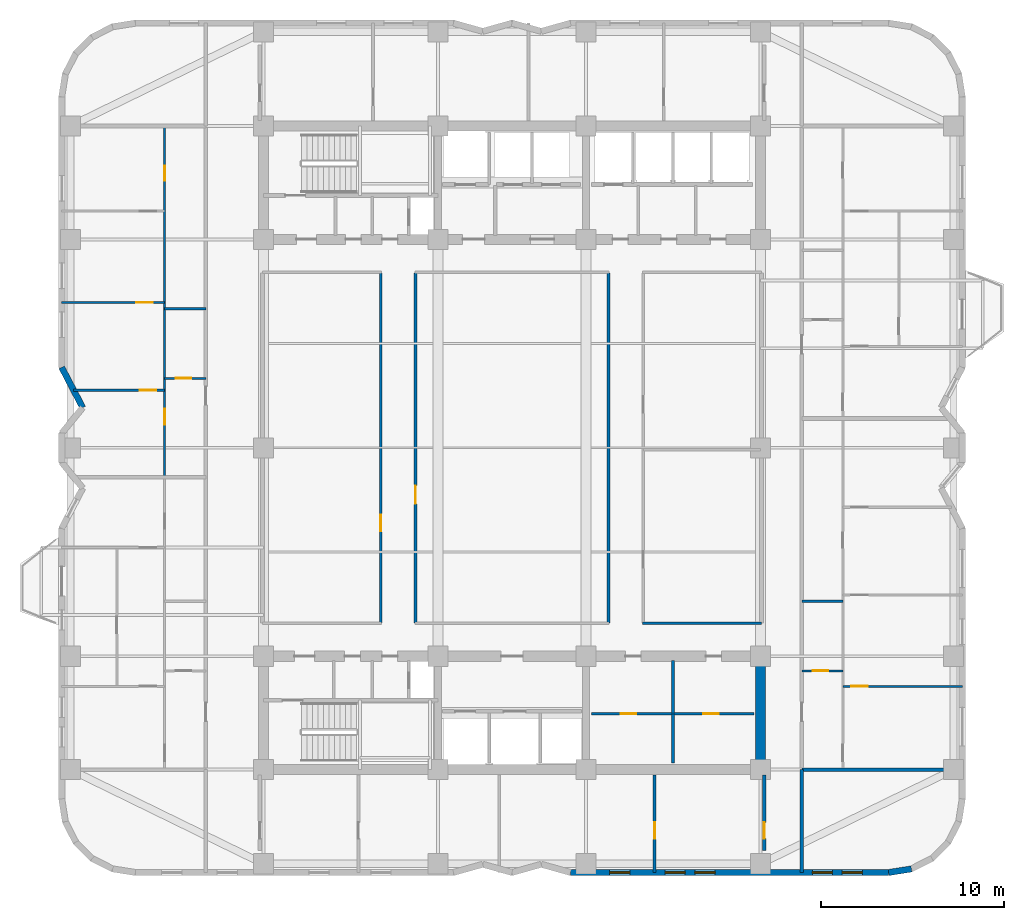
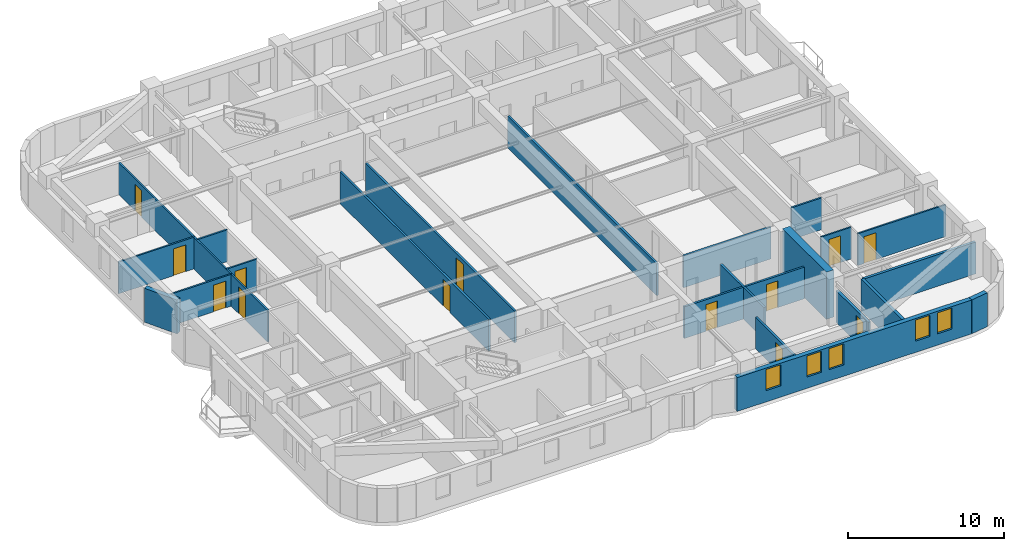
# One storey, part 4 of 10: 23 walls, 13 doors, 5 windows, 18 openings.
"""IFC4 building model written with IfcOpenShell, lengths in metres."""

from ifc_helpers import new_model, si_unit, direction, frame, frame_2d, origin, place, context, subcontext, project, spatial, rectangle, extrude, material, layer, layer_set, type_object, element, fill, save


model = new_model("IFC4")

# Units and contexts
model_context = context("Model", 3, precision=1e-05, world=origin(), true_north=direction((0.0, 1.0)))
body_context = subcontext(model_context, "Body", "Model", "MODEL_VIEW")
ifc_project = project(units=[si_unit("LENGTHUNIT", "METRE"), si_unit("AREAUNIT", "SQUARE_METRE"), si_unit("VOLUMEUNIT", "CUBIC_METRE"), si_unit("PLANEANGLEUNIT", "RADIAN"), si_unit("MASSUNIT", "GRAM", prefix="KILO")], contexts=[model_context])

# Site, building, storey
site_placement = place(None, origin())
site = spatial("IfcSite", under=ifc_project, at=site_placement, CompositionType="ELEMENT")
building_placement = place(site_placement, origin())
building = spatial("IfcBuilding", under=site, at=building_placement, Name="Svetorya Sky Lyceum", CompositionType="ELEMENT")
storey_placement = place(building_placement, frame((0.0, 0.0, 132.699951171875)))
storey = spatial("IfcBuildingStorey", under=building, at=storey_placement, Name="L33", CompositionType="ELEMENT", Elevation=132.699951171875)

# Wall
ifc_material_1 = material(Name="Concrete C60/75", Category="concrete")
ifc_layer_1 = layer(ifc_material_1, 0.550048828125)
ifc_layer_set_1 = layer_set([ifc_layer_1], Name="Concrete C60/75")
wall_type_1 = type_object("IfcWallType", Name="WL-CORE-550", PredefinedType="SHEAR", material=ifc_layer_set_1)
wall_1_placement = place(storey_placement, frame((52.800048828125, 10.875, 0.0), z_axis=(0.0, 0.0, 1.0), x_axis=(0.0, 1.0, 0.0)))
element("IfcWall", 1, at=wall_1_placement, inside=storey, type_object=wall_type_1, Name="L33 SC East Core Shear Wall", PredefinedType="SHEAR", context=body_context, shape_type="SweptSolid", body=[
    extrude(rectangle(XDim=5.64990234375, YDim=0.550048828125, at=frame_2d((2.824951171875, 0.0))), origin(), (0.0, 0.0, 1.0), 3.699951171875),
])

# Wall, openings, windows
ifc_material_2 = material(Name="Putilovo limestone rainscreen on autoclaved cellular masonry", Category="masonry")
ifc_layer_2 = layer(ifc_material_2, 0.340087890625)
ifc_layer_set_2 = layer_set([ifc_layer_2], Name="Putilovo limestone rainscreen on autoclaved cellular masonry")
wall_type_2 = type_object("IfcWallType", Name="WL-EXT-340", PredefinedType="SOLIDWALL", material=ifc_layer_set_2)
wall_2_placement = place(storey_placement, frame((42.39990234375, 4.969970703125, 0.0), z_axis=(0.0, 0.0, 1.0), x_axis=(1.0, 0.0, 0.0)))
wall_2 = element("IfcWall", 2, at=wall_2_placement, inside=storey, type_object=wall_type_2, Name="L33 Limestone Exterior Wall 11M", PredefinedType="SOLIDWALL", context=body_context, shape_type="SweptSolid", body=[
    extrude(rectangle(XDim=17.400146484375, YDim=0.340087890625, at=frame_2d((8.7001953125, 0.0))), origin(), (0.0, 0.0, 1.0), 2.66015625),
])
opening_1_placement = place(wall_2_placement, frame((2.1416015625, 0.0, 0.889892578125)))
opening_1 = element("IfcOpeningElement", 3, at=opening_1_placement, cuts=wall_2, Name="Opening W-R3", PredefinedType="OPENING", context=body_context, shape_type="SweptSolid", body=[
    extrude(rectangle(XDim=1.10009765625, YDim=1.64990234375, at=frame_2d((0.550048828125, 0.824951171875))), frame((0.0, 0.179931640625, 0.0), z_axis=(0.0, -1.0, 0.0), x_axis=(1.0, 0.0, 0.0)), (0.0, 0.0, 1.0), 0.360107421875),
])
opening_2_placement = place(wall_2_placement, frame((5.175048828125, 0.0, 0.889892578125)))
opening_2 = element("IfcOpeningElement", 4, at=opening_2_placement, cuts=wall_2, Name="Opening W-R3", PredefinedType="OPENING", context=body_context, shape_type="SweptSolid", body=[
    extrude(rectangle(XDim=1.10009765625, YDim=1.64990234375, at=frame_2d((0.550048828125, 0.824951171875))), frame((0.0, 0.179931640625, 0.0), z_axis=(0.0, -1.0, 0.0), x_axis=(1.0, 0.0, 0.0)), (0.0, 0.0, 1.0), 0.360107421875),
])
opening_3_placement = place(wall_2_placement, frame((6.808349609375, 0.0, 0.889892578125)))
opening_3 = element("IfcOpeningElement", 5, at=opening_3_placement, cuts=wall_2, Name="Opening W-R3", PredefinedType="OPENING", context=body_context, shape_type="SweptSolid", body=[
    extrude(rectangle(XDim=1.10009765625, YDim=1.64990234375, at=frame_2d((0.550048828125, 0.824951171875))), frame((0.0, 0.179931640625, 0.0), z_axis=(0.0, -1.0, 0.0), x_axis=(1.0, 0.0, 0.0)), (0.0, 0.0, 1.0), 0.360107421875),
])
opening_4_placement = place(wall_2_placement, frame((13.22509765625, 0.0, 0.889892578125)))
opening_4 = element("IfcOpeningElement", 6, at=opening_4_placement, cuts=wall_2, Name="Opening W-R3", PredefinedType="OPENING", context=body_context, shape_type="SweptSolid", body=[
    extrude(rectangle(XDim=1.10009765625, YDim=1.64990234375, at=frame_2d((0.550048828125, 0.824951171875))), frame((0.0, 0.179931640625, 0.0), z_axis=(0.0, -1.0, 0.0), x_axis=(1.0, 0.0, 0.0)), (0.0, 0.0, 1.0), 0.360107421875),
])
opening_5_placement = place(wall_2_placement, frame((14.8583984375, 0.0, 0.889892578125)))
opening_5 = element("IfcOpeningElement", 7, at=opening_5_placement, cuts=wall_2, Name="Opening W-R3", PredefinedType="OPENING", context=body_context, shape_type="SweptSolid", body=[
    extrude(rectangle(XDim=1.10009765625, YDim=1.64990234375, at=frame_2d((0.550048828125, 0.824951171875))), frame((0.0, 0.179931640625, 0.0), z_axis=(0.0, -1.0, 0.0), x_axis=(1.0, 0.0, 0.0)), (0.0, 0.0, 1.0), 0.360107421875),
])
ifc_material_3 = material(Name="Thermally broken aluminium frame with triple low-E glazing", Category="aluminium")
window_type = type_object("IfcWindowType", Name="WN-RES-110", PartitioningType="SINGLE_PANEL", PredefinedType="WINDOW", material=ifc_material_3)
window_1_placement = place(opening_1_placement, origin())
window_1 = element("IfcWindow", 8, at=window_1_placement, inside=storey, type_object=window_type, Name="L33 Facade Window W-R3.11M.1", OverallHeight=1.64990234375, OverallWidth=1.10009765625, PartitioningType="SINGLE_PANEL", PredefinedType="WINDOW", context=body_context, shape_type="SweptSolid", body=[
    extrude(rectangle(XDim=1.10009765625, YDim=1.64990234375, at=frame_2d((0.550048828125, 0.824951171875))), frame((0.0, 0.030029296875, 0.0), z_axis=(0.0, -1.0, 0.0), x_axis=(1.0, 0.0, 0.0)), (0.0, 0.0, 1.0), 0.06005859375),
])
fill(opening_1, window_1)
window_2_placement = place(opening_2_placement, origin())
window_2 = element("IfcWindow", 9, at=window_2_placement, inside=storey, type_object=window_type, Name="L33 Facade Window W-R3.11M.2", OverallHeight=1.64990234375, OverallWidth=1.10009765625, PartitioningType="SINGLE_PANEL", PredefinedType="WINDOW", context=body_context, shape_type="SweptSolid", body=[
    extrude(rectangle(XDim=1.10009765625, YDim=1.64990234375, at=frame_2d((0.550048828125, 0.824951171875))), frame((0.0, 0.030029296875, 0.0), z_axis=(0.0, -1.0, 0.0), x_axis=(1.0, 0.0, 0.0)), (0.0, 0.0, 1.0), 0.06005859375),
])
fill(opening_2, window_2)
window_3_placement = place(opening_3_placement, origin())
window_3 = element("IfcWindow", 10, at=window_3_placement, inside=storey, type_object=window_type, Name="L33 Facade Window W-R3.11M.3", OverallHeight=1.64990234375, OverallWidth=1.10009765625, PartitioningType="SINGLE_PANEL", PredefinedType="WINDOW", context=body_context, shape_type="SweptSolid", body=[
    extrude(rectangle(XDim=1.10009765625, YDim=1.64990234375, at=frame_2d((0.550048828125, 0.824951171875))), frame((0.0, 0.030029296875, 0.0), z_axis=(0.0, -1.0, 0.0), x_axis=(1.0, 0.0, 0.0)), (0.0, 0.0, 1.0), 0.06005859375),
])
fill(opening_3, window_3)
window_4_placement = place(opening_4_placement, origin())
window_4 = element("IfcWindow", 11, at=window_4_placement, inside=storey, type_object=window_type, Name="L33 Facade Window W-R3.11M.4", OverallHeight=1.64990234375, OverallWidth=1.10009765625, PartitioningType="SINGLE_PANEL", PredefinedType="WINDOW", context=body_context, shape_type="SweptSolid", body=[
    extrude(rectangle(XDim=1.10009765625, YDim=1.64990234375, at=frame_2d((0.550048828125, 0.824951171875))), frame((0.0, 0.030029296875, 0.0), z_axis=(0.0, -1.0, 0.0), x_axis=(1.0, 0.0, 0.0)), (0.0, 0.0, 1.0), 0.06005859375),
])
fill(opening_4, window_4)
window_5_placement = place(opening_5_placement, origin())
window_5 = element("IfcWindow", 12, at=window_5_placement, inside=storey, type_object=window_type, Name="L33 Facade Window W-R3.11M.5", OverallHeight=1.64990234375, OverallWidth=1.10009765625, PartitioningType="SINGLE_PANEL", PredefinedType="WINDOW", context=body_context, shape_type="SweptSolid", body=[
    extrude(rectangle(XDim=1.10009765625, YDim=1.64990234375, at=frame_2d((0.550048828125, 0.824951171875))), frame((0.0, 0.030029296875, 0.0), z_axis=(0.0, -1.0, 0.0), x_axis=(1.0, 0.0, 0.0)), (0.0, 0.0, 1.0), 0.06005859375),
])
fill(opening_5, window_5)

# Walls
wall_3_placement = place(storey_placement, frame((59.800048828125, 4.969970703125, 0.0), z_axis=(0.0, 0.0, 1.0), x_axis=(0.987685918112, 0.15644975923, 0.0)))
element("IfcWall", 13, at=wall_3_placement, inside=storey, type_object=wall_type_2, Name="L33 Limestone Exterior Wall 12M", PredefinedType="SOLIDWALL", context=body_context, shape_type="SweptSolid", body=[
    extrude(rectangle(XDim=1.260986328125, YDim=0.340087890625, at=frame_2d((0.63037109375, 0.0))), origin(), (0.0, 0.0, 1.0), 2.66015625),
])
wall_4_placement = place(storey_placement, frame((14.570068359375, 32.60009765625, 0.0), z_axis=(0.0, 0.0, 1.0), x_axis=(0.463191013929, -0.88625847506, 0.0)))
element("IfcWall", 14, at=wall_4_placement, inside=storey, type_object=wall_type_2, Name="L33 Limestone Exterior Wall 41M", PredefinedType="SOLIDWALL", context=body_context, shape_type="SweptSolid", body=[
    extrude(rectangle(XDim=2.482666015625, YDim=0.340087890625, at=frame_2d((1.2412109375, 0.0))), origin(), (0.0, 0.0, 1.0), 2.66015625),
])

# Wall, opening, door
ifc_material_4 = material(Name="Twin-stud galvanized framing with double fireboard", Category="gypsum")
ifc_layer_3 = layer(ifc_material_4, 0.1201171875)
ifc_layer_set_3 = layer_set([ifc_layer_3], Name="Twin-stud galvanized framing with double fireboard")
wall_type_3 = type_object("IfcWallType", Name="WL-PART-120", PredefinedType="PARTITIONING", material=ifc_layer_set_3)
wall_5_placement = place(storey_placement, frame((20.199951171875, 32.0, 0.0), z_axis=(0.0, 0.0, 1.0), x_axis=(1.0, 0.0, 0.0)))
wall_5 = element("IfcWall", 15, at=wall_5_placement, inside=storey, type_object=wall_type_3, Name="L33 Interior Partition W2-WH1", PredefinedType="PARTITIONING", context=body_context, shape_type="SweptSolid", body=[
    extrude(rectangle(XDim=2.25, YDim=0.1201171875, at=frame_2d((1.125, 0.0))), origin(), (0.0, 0.0, 1.0), 2.489990234375),
])
opening_6_placement = place(wall_5_placement, frame((0.60009765625, 0.0, 0.0)))
opening_6 = element("IfcOpeningElement", 16, at=opening_6_placement, cuts=wall_5, Name="Opening D-BT1", PredefinedType="OPENING", context=body_context, shape_type="SweptSolid", body=[
    extrude(rectangle(XDim=0.85009765625, YDim=2.10009765625, at=frame_2d((0.425048828125, 1.050048828125))), frame((0.0, 0.070068359375, 0.0), z_axis=(0.0, -1.0, 0.0), x_axis=(1.0, 0.0, 0.0)), (0.0, 0.0, 1.0), 0.14013671875),
])
ifc_material_5 = material(Name="Moisture-resistant laminate bathroom door")
door_type_1 = type_object("IfcDoorType", Name="DR-WET-850", OperationType="SINGLE_SWING_LEFT", PredefinedType="DOOR", material=ifc_material_5)
door_1_placement = place(opening_6_placement, origin())
door_1 = element("IfcDoor", 17, at=door_1_placement, inside=storey, type_object=door_type_1, Name="Apartment W2 Bathroom Door", OperationType="SINGLE_SWING_RIGHT", OverallHeight=2.10009765625, OverallWidth=0.85009765625, PredefinedType="DOOR", context=body_context, shape_type="SweptSolid", body=[
    extrude(rectangle(XDim=0.85009765625, YDim=2.10009765625, at=frame_2d((0.425048828125, 1.050048828125))), frame((0.0, 0.02490234375, 0.0), z_axis=(0.0, -1.0, 0.0), x_axis=(1.0, 0.0, 0.0)), (0.0, 0.0, 1.0), 0.050048828125),
])
fill(opening_6, door_1)

wall_6_placement = place(storey_placement, frame((15.223388671875, 31.35009765625, 0.0), z_axis=(0.0, 0.0, 1.0), x_axis=(1.0, 0.0, 0.0)))
wall_6 = element("IfcWall", 18, at=wall_6_placement, inside=storey, type_object=wall_type_3, Name="L33 Interior Partition W2-WL1", PredefinedType="PARTITIONING", context=body_context, shape_type="SweptSolid", body=[
    extrude(rectangle(XDim=4.9765625, YDim=0.1201171875, at=frame_2d((2.48828125, 0.0))), origin(), (0.0, 0.0, 1.0), 2.489990234375),
])
opening_7_placement = place(wall_6_placement, frame((3.626708984375, 0.0, 0.0)))
opening_7 = element("IfcOpeningElement", 19, at=opening_7_placement, cuts=wall_6, Name="Opening D-RM1", PredefinedType="OPENING", context=body_context, shape_type="SweptSolid", body=[
    extrude(rectangle(XDim=0.89990234375, YDim=2.10009765625, at=frame_2d((0.449951171875, 1.050048828125))), frame((0.0, 0.070068359375, 0.0), z_axis=(0.0, -1.0, 0.0), x_axis=(1.0, 0.0, 0.0)), (0.0, 0.0, 1.0), 0.14013671875),
])
ifc_material_6 = material(Name="Lacquered birch veneer internal door")
door_type_2 = type_object("IfcDoorType", Name="DR-INT-900", OperationType="SINGLE_SWING_LEFT", PredefinedType="DOOR", material=ifc_material_6)
door_2_placement = place(opening_7_placement, origin())
door_2 = element("IfcDoor", 20, at=door_2_placement, inside=storey, type_object=door_type_2, Name="Apartment W2 Master Bedroom Door", OperationType="SINGLE_SWING_RIGHT", OverallHeight=2.10009765625, OverallWidth=0.89990234375, PredefinedType="DOOR", context=body_context, shape_type="SweptSolid", body=[
    extrude(rectangle(XDim=0.89990234375, YDim=2.10009765625, at=frame_2d((0.449951171875, 1.050048828125))), frame((0.0, 0.02490234375, 0.0), z_axis=(0.0, -1.0, 0.0), x_axis=(1.0, 0.0, 0.0)), (0.0, 0.0, 1.0), 0.050048828125),
])
fill(opening_7, door_2)

wall_7_placement = place(storey_placement, frame((14.570068359375, 36.14990234375, 0.0), z_axis=(0.0, 0.0, 1.0), x_axis=(1.0, 0.0, 0.0)))
wall_7 = element("IfcWall", 21, at=wall_7_placement, inside=storey, type_object=wall_type_3, Name="L33 Interior Partition W2-WL2", PredefinedType="PARTITIONING", context=body_context, shape_type="SweptSolid", body=[
    extrude(rectangle(XDim=5.6298828125, YDim=0.1201171875, at=frame_2d((2.81494140625, 0.0))), origin(), (0.0, 0.0, 1.0), 2.489990234375),
])
opening_8_placement = place(wall_7_placement, frame((4.080078125, 0.0, 0.0)))
opening_8 = element("IfcOpeningElement", 22, at=opening_8_placement, cuts=wall_7, Name="Opening D-RM1", PredefinedType="OPENING", context=body_context, shape_type="SweptSolid", body=[
    extrude(rectangle(XDim=0.89990234375, YDim=2.10009765625, at=frame_2d((0.449951171875, 1.050048828125))), frame((0.0, 0.070068359375, 0.0), z_axis=(0.0, -1.0, 0.0), x_axis=(1.0, 0.0, 0.0)), (0.0, 0.0, 1.0), 0.14013671875),
])
door_3_placement = place(opening_8_placement, origin())
door_3 = element("IfcDoor", 23, at=door_3_placement, inside=storey, type_object=door_type_2, Name="Apartment W2 Bedroom 2 Door", OperationType="SINGLE_SWING_LEFT", OverallHeight=2.10009765625, OverallWidth=0.89990234375, PredefinedType="DOOR", context=body_context, shape_type="SweptSolid", body=[
    extrude(rectangle(XDim=0.89990234375, YDim=2.10009765625, at=frame_2d((0.449951171875, 1.050048828125))), frame((0.0, 0.02490234375, 0.0), z_axis=(0.0, -1.0, 0.0), x_axis=(1.0, 0.0, 0.0)), (0.0, 0.0, 1.0), 0.050048828125),
])
fill(opening_8, door_3)

# Wall, openings, doors
wall_8_placement = place(storey_placement, frame((20.199951171875, 26.639892578125, 0.0), z_axis=(0.0, 0.0, 1.0), x_axis=(0.0, 1.0, 0.0)))
wall_8 = element("IfcWall", 24, at=wall_8_placement, inside=storey, type_object=wall_type_3, Name="L33 Interior Partition W2-WV", PredefinedType="PARTITIONING", context=body_context, shape_type="SweptSolid", body=[
    extrude(rectangle(XDim=19.1201171875, YDim=0.1201171875, at=frame_2d((9.56005859375, 0.0))), origin(), (0.0, 0.0, 1.0), 2.489990234375),
])
opening_9_placement = place(wall_8_placement, frame((2.81005859375, 0.0, 0.0)))
opening_9 = element("IfcOpeningElement", 25, at=opening_9_placement, cuts=wall_8, Name="Opening D-RM1", PredefinedType="OPENING", context=body_context, shape_type="SweptSolid", body=[
    extrude(rectangle(XDim=0.89990234375, YDim=2.10009765625, at=frame_2d((0.449951171875, 1.050048828125))), frame((0.0, 0.070068359375, 0.0), z_axis=(0.0, -1.0, 0.0), x_axis=(1.0, 0.0, 0.0)), (0.0, 0.0, 1.0), 0.14013671875),
])
opening_10_placement = place(wall_8_placement, frame((16.179931640625, 0.0, 0.0)))
opening_10 = element("IfcOpeningElement", 26, at=opening_10_placement, cuts=wall_8, Name="Opening D-BT2", PredefinedType="OPENING", context=body_context, shape_type="SweptSolid", body=[
    extrude(rectangle(XDim=0.820068359375, YDim=2.080078125, at=frame_2d((0.41015625, 1.0400390625))), frame((0.0, 0.070068359375, 0.0), z_axis=(0.0, -1.0, 0.0), x_axis=(1.0, 0.0, 0.0)), (0.0, 0.0, 1.0), 0.14013671875),
])
door_4_placement = place(opening_9_placement, origin())
door_4 = element("IfcDoor", 27, at=door_4_placement, inside=storey, type_object=door_type_2, Name="Apartment W2 Living Door", OperationType="SINGLE_SWING_LEFT", OverallHeight=2.10009765625, OverallWidth=0.89990234375, PredefinedType="DOOR", context=body_context, shape_type="SweptSolid", body=[
    extrude(rectangle(XDim=0.89990234375, YDim=2.10009765625, at=frame_2d((0.449951171875, 1.050048828125))), frame((0.0, 0.02490234375, 0.0), z_axis=(0.0, -1.0, 0.0), x_axis=(1.0, 0.0, 0.0)), (0.0, 0.0, 1.0), 0.050048828125),
])
fill(opening_9, door_4)
ifc_material_7 = material(Name="Compact moisture-resistant laminate closet door")
door_type_3 = type_object("IfcDoorType", Name="DR-WET-820", OperationType="SINGLE_SWING_LEFT", PredefinedType="DOOR", material=ifc_material_7)
door_5_placement = place(opening_10_placement, origin())
door_5 = element("IfcDoor", 28, at=door_5_placement, inside=storey, type_object=door_type_3, Name="Apartment W2 Study Door", OperationType="SINGLE_SWING_RIGHT", OverallHeight=2.080078125, OverallWidth=0.820068359375, PredefinedType="DOOR", context=body_context, shape_type="SweptSolid", body=[
    extrude(rectangle(XDim=0.820068359375, YDim=2.080078125, at=frame_2d((0.41015625, 1.0400390625))), frame((0.0, 0.02490234375, 0.0), z_axis=(0.0, -1.0, 0.0), x_axis=(1.0, 0.0, 0.0)), (0.0, 0.0, 1.0), 0.050048828125),
])
fill(opening_10, door_5)

# Wall, opening, door
wall_9_placement = place(storey_placement, frame((55.050048828125, 16.0, 0.0), z_axis=(0.0, 0.0, 1.0), x_axis=(1.0, 0.0, 0.0)))
wall_9 = element("IfcWall", 29, at=wall_9_placement, inside=storey, type_object=wall_type_3, Name="L33 Interior Partition E1-WH1", PredefinedType="PARTITIONING", context=body_context, shape_type="SweptSolid", body=[
    extrude(rectangle(XDim=2.25, YDim=0.1201171875, at=frame_2d((1.125, 0.0))), origin(), (0.0, 0.0, 1.0), 2.489990234375),
])
opening_11_placement = place(wall_9_placement, frame((0.60009765625, 0.0, 0.0)))
opening_11 = element("IfcOpeningElement", 30, at=opening_11_placement, cuts=wall_9, Name="Opening D-BT1", PredefinedType="OPENING", context=body_context, shape_type="SweptSolid", body=[
    extrude(rectangle(XDim=0.85009765625, YDim=2.10009765625, at=frame_2d((0.425048828125, 1.050048828125))), frame((0.0, 0.070068359375, 0.0), z_axis=(0.0, -1.0, 0.0), x_axis=(1.0, 0.0, 0.0)), (0.0, 0.0, 1.0), 0.14013671875),
])
door_6_placement = place(opening_11_placement, origin())
door_6 = element("IfcDoor", 31, at=door_6_placement, inside=storey, type_object=door_type_1, Name="Apartment E1 Bathroom Door", OperationType="SINGLE_SWING_RIGHT", OverallHeight=2.10009765625, OverallWidth=0.85009765625, PredefinedType="DOOR", context=body_context, shape_type="SweptSolid", body=[
    extrude(rectangle(XDim=0.85009765625, YDim=2.10009765625, at=frame_2d((0.425048828125, 1.050048828125))), frame((0.0, 0.02490234375, 0.0), z_axis=(0.0, -1.0, 0.0), x_axis=(1.0, 0.0, 0.0)), (0.0, 0.0, 1.0), 0.050048828125),
])
fill(opening_11, door_6)

wall_10_placement = place(storey_placement, frame((57.300048828125, 15.14990234375, 0.0), z_axis=(0.0, 0.0, 1.0), x_axis=(1.0, 0.0, 0.0)))
wall_10 = element("IfcWall", 32, at=wall_10_placement, inside=storey, type_object=wall_type_3, Name="L33 Interior Partition E1-WL1", PredefinedType="PARTITIONING", context=body_context, shape_type="SweptSolid", body=[
    extrude(rectangle(XDim=6.530029296875, YDim=0.1201171875, at=frame_2d((3.26513671875, 0.0))), origin(), (0.0, 0.0, 1.0), 2.489990234375),
])
opening_12_placement = place(wall_10_placement, frame((0.449951171875, 0.0, 0.0)))
opening_12 = element("IfcOpeningElement", 33, at=opening_12_placement, cuts=wall_10, Name="Opening D-RM1", PredefinedType="OPENING", context=body_context, shape_type="SweptSolid", body=[
    extrude(rectangle(XDim=0.89990234375, YDim=2.10009765625, at=frame_2d((0.449951171875, 1.050048828125))), frame((0.0, 0.070068359375, 0.0), z_axis=(0.0, -1.0, 0.0), x_axis=(1.0, 0.0, 0.0)), (0.0, 0.0, 1.0), 0.14013671875),
])
door_7_placement = place(opening_12_placement, origin())
door_7 = element("IfcDoor", 34, at=door_7_placement, inside=storey, type_object=door_type_2, Name="Apartment E1 Master Bedroom Door", OperationType="SINGLE_SWING_RIGHT", OverallHeight=2.10009765625, OverallWidth=0.89990234375, PredefinedType="DOOR", context=body_context, shape_type="SweptSolid", body=[
    extrude(rectangle(XDim=0.89990234375, YDim=2.10009765625, at=frame_2d((0.449951171875, 1.050048828125))), frame((0.0, 0.02490234375, 0.0), z_axis=(0.0, -1.0, 0.0), x_axis=(1.0, 0.0, 0.0)), (0.0, 0.0, 1.0), 0.050048828125),
])
fill(opening_12, door_7)

# Walls
ifc_material_8 = material(Name="Twin-stud galvanized framing with acoustic board", Category="gypsum")
ifc_layer_4 = layer(ifc_material_8, 0.135009765625)
ifc_layer_set_4 = layer_set([ifc_layer_4], Name="Twin-stud galvanized framing with acoustic board")
wall_type_4 = type_object("IfcWallType", Name="WL-PART-135", PredefinedType="PARTITIONING", material=ifc_layer_set_4)
for number, where, z_axis, x_axis, name in (
    (35, (20.199951171875, 35.800048828125, 0.0), (0.0, 0.0, 1.0), (1.0, 0.0, 0.0), "L33 Interior Partition W2-WH2"),
    (36, (55.050048828125, 19.800048828125, 0.0), (0.0, 0.0, 1.0), (1.0, 0.0, 0.0), "L33 Interior Partition E1-WH2"),
):
    element("IfcWall", number, at=place(storey_placement, frame(where, z_axis=z_axis, x_axis=x_axis)), inside=storey, type_object=wall_type_4, Name=name, PredefinedType="PARTITIONING", context=body_context, shape_type="SweptSolid", body=[
        extrude(rectangle(XDim=2.25, YDim=0.135009765625, at=frame_2d((1.125, 0.0))), origin(), (0.0, 0.0, 1.0), 2.489990234375),
    ])
ifc_material_9 = material(Name="Autoclaved cellular masonry blockwork with acoustic render", Category="masonry")
ifc_layer_5 = layer(ifc_material_9, 0.14990234375)
ifc_layer_set_5 = layer_set([ifc_layer_5], Name="Autoclaved cellular masonry blockwork with acoustic render")
wall_type_5 = type_object("IfcWallType", Name="WL-PART-150", PredefinedType="PARTITIONING", material=ifc_layer_set_5)
wall_11_placement = place(storey_placement, frame((48.0, 10.949951171875, 0.0), z_axis=(0.0, 0.0, 1.0), x_axis=(0.0, 1.0, 0.0)))
element("IfcWall", 37, at=wall_11_placement, inside=storey, type_object=wall_type_5, Name="L33 Interior Partition SC-LV7-V", PredefinedType="PARTITIONING", context=body_context, shape_type="SweptSolid", body=[
    extrude(rectangle(XDim=5.630126953125, YDim=0.14990234375, at=frame_2d((2.81494140625, 0.0))), origin(), (0.0, 0.0, 1.0), 2.489990234375),
])

# Wall, opening, door
wall_12_placement = place(storey_placement, frame((43.550048828125, 13.64990234375, 0.0), z_axis=(0.0, 0.0, 1.0), x_axis=(1.0, 0.0, 0.0)))
wall_12 = element("IfcWall", 38, at=wall_12_placement, inside=storey, type_object=wall_type_5, Name="L33 Interior Partition SC-LV7-HW", PredefinedType="PARTITIONING", context=body_context, shape_type="SweptSolid", body=[
    extrude(rectangle(XDim=4.39990234375, YDim=0.14990234375, at=frame_2d((2.199951171875, 0.0))), origin(), (0.0, 0.0, 1.0), 2.489990234375),
])
opening_13_placement = place(wall_12_placement, frame((1.60009765625, 0.0, 0.0)))
opening_13 = element("IfcOpeningElement", 39, at=opening_13_placement, cuts=wall_12, Name="Opening D-CWC1", PredefinedType="OPENING", context=body_context, shape_type="SweptSolid", body=[
    extrude(rectangle(XDim=0.85009765625, YDim=2.10009765625, at=frame_2d((0.425048828125, 1.050048828125))), frame((0.0, 0.0849609375, 0.0), z_axis=(0.0, -1.0, 0.0), x_axis=(1.0, 0.0, 0.0)), (0.0, 0.0, 1.0), 0.169921875),
])
ifc_material_10 = material(Name="Fire-rated galvanized steel core service closet door", Category="steel")
door_type_4 = type_object("IfcDoorType", Name="DR-CWET-850", OperationType="SINGLE_SWING_LEFT", PredefinedType="DOOR", material=ifc_material_10)
door_8_placement = place(opening_13_placement, origin())
door_8 = element("IfcDoor", 40, at=door_8_placement, inside=storey, type_object=door_type_4, Name="L33 South Electrical Room Door", OperationType="SINGLE_SWING_LEFT", OverallHeight=2.10009765625, OverallWidth=0.85009765625, PredefinedType="DOOR", context=body_context, shape_type="SweptSolid", body=[
    extrude(rectangle(XDim=0.85009765625, YDim=2.10009765625, at=frame_2d((0.425048828125, 1.050048828125))), frame((0.0, 0.02490234375, 0.0), z_axis=(0.0, -1.0, 0.0), x_axis=(1.0, 0.0, 0.0)), (0.0, 0.0, 1.0), 0.050048828125),
])
fill(opening_13, door_8)

wall_13_placement = place(storey_placement, frame((48.050048828125, 13.64990234375, 0.0), z_axis=(0.0, 0.0, 1.0), x_axis=(1.0, 0.0, 0.0)))
wall_13 = element("IfcWall", 41, at=wall_13_placement, inside=storey, type_object=wall_type_5, Name="L33 Interior Partition SC-LV7-HE", PredefinedType="PARTITIONING", context=body_context, shape_type="SweptSolid", body=[
    extrude(rectangle(XDim=4.39990234375, YDim=0.14990234375, at=frame_2d((2.199951171875, 0.0))), origin(), (0.0, 0.0, 1.0), 2.489990234375),
])
opening_14_placement = place(wall_13_placement, frame((1.60009765625, 0.0, 0.0)))
opening_14 = element("IfcOpeningElement", 42, at=opening_14_placement, cuts=wall_13, Name="Opening D-CWC1", PredefinedType="OPENING", context=body_context, shape_type="SweptSolid", body=[
    extrude(rectangle(XDim=0.85009765625, YDim=2.10009765625, at=frame_2d((0.425048828125, 1.050048828125))), frame((0.0, 0.0849609375, 0.0), z_axis=(0.0, -1.0, 0.0), x_axis=(1.0, 0.0, 0.0)), (0.0, 0.0, 1.0), 0.169921875),
])
door_9_placement = place(opening_14_placement, origin())
door_9 = element("IfcDoor", 43, at=door_9_placement, inside=storey, type_object=door_type_4, Name="L33 South Server Closet Door", OperationType="SINGLE_SWING_RIGHT", OverallHeight=2.10009765625, OverallWidth=0.85009765625, PredefinedType="DOOR", context=body_context, shape_type="SweptSolid", body=[
    extrude(rectangle(XDim=0.85009765625, YDim=2.10009765625, at=frame_2d((0.425048828125, 1.050048828125))), frame((0.0, 0.02490234375, 0.0), z_axis=(0.0, -1.0, 0.0), x_axis=(1.0, 0.0, 0.0)), (0.0, 0.0, 1.0), 0.050048828125),
])
fill(opening_14, door_9)

# Wall
wall_14_placement = place(storey_placement, frame((46.35009765625, 18.60009765625, 0.0), z_axis=(0.0, 0.0, 1.0), x_axis=(1.0, 0.0, 0.0)))
element("IfcWall", 44, at=wall_14_placement, inside=storey, type_object=wall_type_5, Name="L33 Interior Partition RL-CS-E", PredefinedType="PARTITIONING", context=body_context, shape_type="SweptSolid", body=[
    extrude(rectangle(XDim=6.5, YDim=0.14990234375, at=frame_2d((3.25, 0.0))), origin(), (0.0, 0.0, 1.0), 2.489990234375),
])

# Wall, opening, door
wall_15_placement = place(storey_placement, frame((32.02001953125, 18.6298828125, 0.0), z_axis=(0.0, 0.0, 1.0), x_axis=(0.0, 1.0, 0.0)))
wall_15 = element("IfcWall", 45, at=wall_15_placement, inside=storey, type_object=wall_type_5, Name="L33 Interior Partition ISL-WW", PredefinedType="PARTITIONING", context=body_context, shape_type="SweptSolid", body=[
    extrude(rectangle(XDim=19.14013671875, YDim=0.14990234375, at=frame_2d((9.570068359375, 0.0))), origin(), (0.0, 0.0, 1.0), 2.489990234375),
])
opening_15_placement = place(wall_15_placement, frame((5.0, 0.0, 0.0)))
opening_15 = element("IfcOpeningElement", 46, at=opening_15_placement, cuts=wall_15, Name="Opening D-RM1", PredefinedType="OPENING", context=body_context, shape_type="SweptSolid", body=[
    extrude(rectangle(XDim=0.89990234375, YDim=2.10009765625, at=frame_2d((0.449951171875, 1.050048828125))), frame((0.0, 0.0849609375, 0.0), z_axis=(0.0, -1.0, 0.0), x_axis=(1.0, 0.0, 0.0)), (0.0, 0.0, 1.0), 0.169921875),
])
door_10_placement = place(opening_15_placement, origin())
door_10 = element("IfcDoor", 47, at=door_10_placement, inside=storey, type_object=door_type_2, Name="L33 Atelier Door", OperationType="SINGLE_SWING_RIGHT", OverallHeight=2.10009765625, OverallWidth=0.89990234375, PredefinedType="DOOR", context=body_context, shape_type="SweptSolid", body=[
    extrude(rectangle(XDim=0.89990234375, YDim=2.10009765625, at=frame_2d((0.449951171875, 1.050048828125))), frame((0.0, 0.02490234375, 0.0), z_axis=(0.0, -1.0, 0.0), x_axis=(1.0, 0.0, 0.0)), (0.0, 0.0, 1.0), 0.050048828125),
])
fill(opening_15, door_10)

wall_16_placement = place(storey_placement, frame((33.919921875, 18.6298828125, 0.0), z_axis=(0.0, 0.0, 1.0), x_axis=(0.0, 1.0, 0.0)))
wall_16 = element("IfcWall", 48, at=wall_16_placement, inside=storey, type_object=wall_type_5, Name="L33 Interior Partition ISL-WE", PredefinedType="PARTITIONING", context=body_context, shape_type="SweptSolid", body=[
    extrude(rectangle(XDim=19.14013671875, YDim=0.14990234375, at=frame_2d((9.570068359375, 0.0))), origin(), (0.0, 0.0, 1.0), 2.489990234375),
])
opening_16_placement = place(wall_16_placement, frame((6.5, 0.0, 0.0)))
opening_16 = element("IfcOpeningElement", 49, at=opening_16_placement, cuts=wall_16, Name="Opening D-RM2", PredefinedType="OPENING", context=body_context, shape_type="SweptSolid", body=[
    extrude(rectangle(XDim=1.0, YDim=2.14990234375, at=frame_2d((0.5, 1.074951171875))), frame((0.0, 0.0849609375, 0.0), z_axis=(0.0, -1.0, 0.0), x_axis=(1.0, 0.0, 0.0)), (0.0, 0.0, 1.0), 0.169921875),
])
ifc_material_11 = material(Name="Solid-core oak acoustic room door")
door_type_5 = type_object("IfcDoorType", Name="DR-INT-1000", OperationType="SINGLE_SWING_LEFT", PredefinedType="DOOR", material=ifc_material_11)
door_11_placement = place(opening_16_placement, origin())
door_11 = element("IfcDoor", 50, at=door_11_placement, inside=storey, type_object=door_type_5, Name="L33 Wellness Door", OperationType="SINGLE_SWING_LEFT", OverallHeight=2.14990234375, OverallWidth=1.0, PredefinedType="DOOR", context=body_context, shape_type="SweptSolid", body=[
    extrude(rectangle(XDim=1.0, YDim=2.14990234375, at=frame_2d((0.5, 1.074951171875))), frame((0.0, 0.02490234375, 0.0), z_axis=(0.0, -1.0, 0.0), x_axis=(1.0, 0.0, 0.0)), (0.0, 0.0, 1.0), 0.050048828125),
])
fill(opening_16, door_11)

# Wall
wall_17_placement = place(storey_placement, frame((44.47998046875, 18.6298828125, 0.0), z_axis=(0.0, 0.0, 1.0), x_axis=(0.0, 1.0, 0.0)))
element("IfcWall", 51, at=wall_17_placement, inside=storey, type_object=wall_type_5, Name="L33 Interior Partition ISL-EW", PredefinedType="PARTITIONING", context=body_context, shape_type="SweptSolid", body=[
    extrude(rectangle(XDim=19.14013671875, YDim=0.14990234375, at=frame_2d((9.570068359375, 0.0))), origin(), (0.0, 0.0, 1.0), 2.489990234375),
])

# Wall, opening, door
wall_18_placement = place(storey_placement, frame((47.0, 4.969970703125, 0.0), z_axis=(0.0, 0.0, 1.0), x_axis=(0.0, 1.0, 0.0)))
wall_18 = element("IfcWall", 52, at=wall_18_placement, inside=storey, type_object=wall_type_5, Name="L33 Interior Partition S4-D3", PredefinedType="PARTITIONING", context=body_context, shape_type="SweptSolid", body=[
    extrude(rectangle(XDim=5.330078125, YDim=0.14990234375, at=frame_2d((2.6650390625, 0.0))), origin(), (0.0, 0.0, 1.0), 2.489990234375),
])
opening_17_placement = place(wall_18_placement, frame((1.85009765625, 0.0, 0.0)))
opening_17 = element("IfcOpeningElement", 53, at=opening_17_placement, cuts=wall_18, Name="Opening D-RM1", PredefinedType="OPENING", context=body_context, shape_type="SweptSolid", body=[
    extrude(rectangle(XDim=0.89990234375, YDim=2.10009765625, at=frame_2d((0.449951171875, 1.050048828125))), frame((0.0, 0.0849609375, 0.0), z_axis=(0.0, -1.0, 0.0), x_axis=(1.0, 0.0, 0.0)), (0.0, 0.0, 1.0), 0.169921875),
])
door_12_placement = place(opening_17_placement, origin())
door_12 = element("IfcDoor", 54, at=door_12_placement, inside=storey, type_object=door_type_2, Name="L33 South Suite Door 3", OperationType="SINGLE_SWING_LEFT", OverallHeight=2.10009765625, OverallWidth=0.89990234375, PredefinedType="DOOR", context=body_context, shape_type="SweptSolid", body=[
    extrude(rectangle(XDim=0.89990234375, YDim=2.10009765625, at=frame_2d((0.449951171875, 1.050048828125))), frame((0.0, 0.02490234375, 0.0), z_axis=(0.0, -1.0, 0.0), x_axis=(1.0, 0.0, 0.0)), (0.0, 0.0, 1.0), 0.050048828125),
])
fill(opening_17, door_12)

# Walls
ifc_material_12 = material(Name="Autoclaved cellular masonry blockwork with gypsum plaster", Category="masonry")
ifc_layer_6 = layer(ifc_material_12, 0.199951171875)
ifc_layer_set_6 = layer_set([ifc_layer_6], Name="Autoclaved cellular masonry blockwork with gypsum plaster")
wall_type_6 = type_object("IfcWallType", Name="WL-PART-200", PredefinedType="PARTITIONING", material=ifc_layer_set_6)
wall_19_placement = place(storey_placement, frame((55.050048828125, 10.60009765625, 0.0), z_axis=(0.0, 0.0, 1.0), x_axis=(1.0, 0.0, 0.0)))
element("IfcWall", 55, at=wall_19_placement, inside=storey, type_object=wall_type_6, Name="L33 Interior Partition E-CAP-S", PredefinedType="PARTITIONING", context=body_context, shape_type="SweptSolid", body=[
    extrude(rectangle(XDim=8.35986328125, YDim=0.199951171875, at=frame_2d((4.179931640625, 0.0))), origin(), (0.0, 0.0, 1.0), 2.489990234375),
])
wall_20_placement = place(storey_placement, frame((55.050048828125, 4.969970703125, 0.0), z_axis=(0.0, 0.0, 1.0), x_axis=(0.0, 1.0, 0.0)))
element("IfcWall", 56, at=wall_20_placement, inside=storey, type_object=wall_type_6, Name="L33 Interior Partition EC-SE-END", PredefinedType="PARTITIONING", context=body_context, shape_type="SweptSolid", body=[
    extrude(rectangle(XDim=5.630126953125, YDim=0.199951171875, at=frame_2d((2.81494140625, 0.0))), origin(), (0.0, 0.0, 1.0), 2.489990234375),
])

# Wall, opening, door
wall_21_placement = place(storey_placement, frame((53.0, 6.169921875, 0.0), z_axis=(0.0, 0.0, 1.0), x_axis=(0.0, 1.0, 0.0)))
wall_21 = element("IfcWall", 57, at=wall_21_placement, inside=storey, type_object=wall_type_6, Name="L33 Interior Partition S4-EE", PredefinedType="PARTITIONING", context=body_context, shape_type="SweptSolid", body=[
    extrude(rectangle(XDim=4.130126953125, YDim=0.199951171875, at=frame_2d((2.06494140625, 0.0))), origin(), (0.0, 0.0, 1.0), 2.489990234375),
])
opening_18_placement = place(wall_21_placement, frame((0.64990234375, 0.0, 0.0)))
opening_18 = element("IfcOpeningElement", 58, at=opening_18_placement, cuts=wall_21, Name="Opening D-RM1", PredefinedType="OPENING", context=body_context, shape_type="SweptSolid", body=[
    extrude(rectangle(XDim=0.89990234375, YDim=2.10009765625, at=frame_2d((0.449951171875, 1.050048828125))), frame((0.0, 0.10986328125, 0.0), z_axis=(0.0, -1.0, 0.0), x_axis=(1.0, 0.0, 0.0)), (0.0, 0.0, 1.0), 0.219970703125),
])
door_13_placement = place(opening_18_placement, origin())
door_13 = element("IfcDoor", 59, at=door_13_placement, inside=storey, type_object=door_type_2, Name="L33 SE Meeting Door", OperationType="SINGLE_SWING_RIGHT", OverallHeight=2.10009765625, OverallWidth=0.89990234375, PredefinedType="DOOR", context=body_context, shape_type="SweptSolid", body=[
    extrude(rectangle(XDim=0.89990234375, YDim=2.10009765625, at=frame_2d((0.449951171875, 1.050048828125))), frame((0.0, 0.02490234375, 0.0), z_axis=(0.0, -1.0, 0.0), x_axis=(1.0, 0.0, 0.0)), (0.0, 0.0, 1.0), 0.050048828125),
])
fill(opening_18, door_13)

save(model, "model.ifc")
